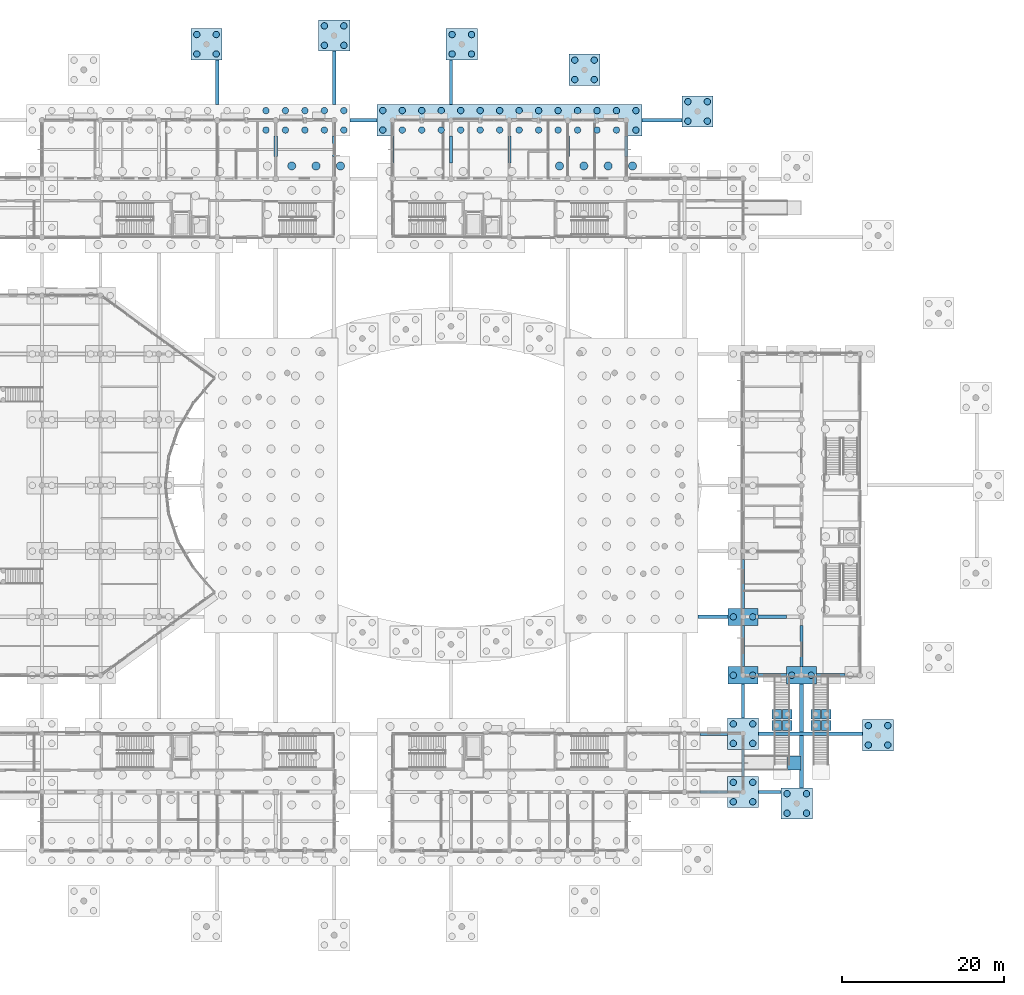
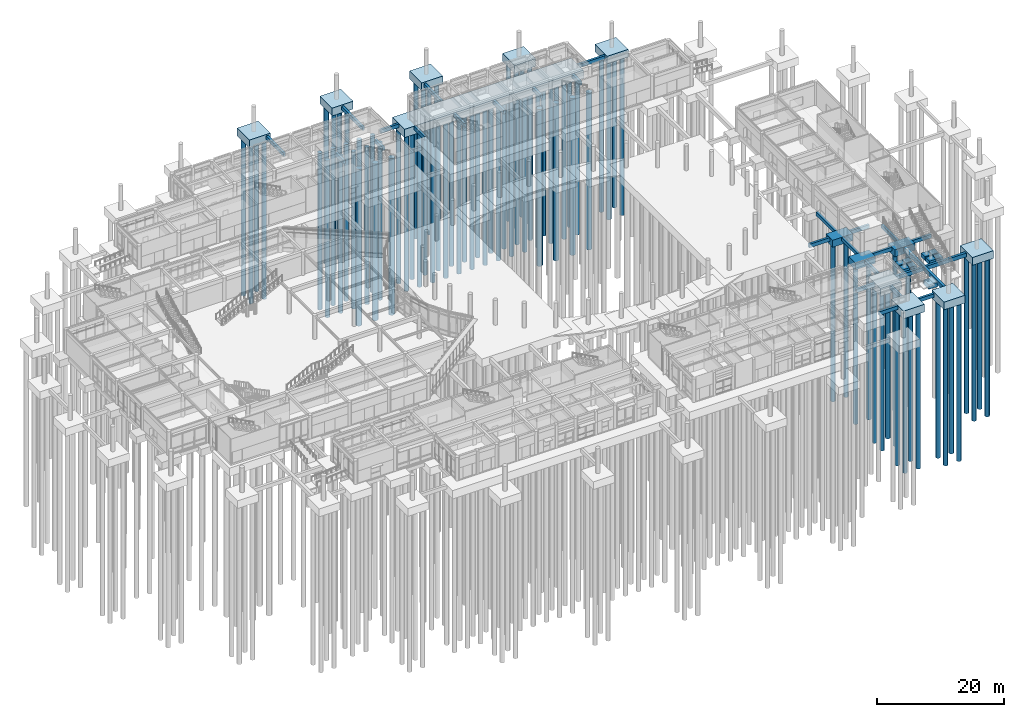
# One storey, part 7 of 103: 87 piles, 48 footings.
"""IFC4 building model written with IfcOpenShell, lengths in metres."""

from ifc_helpers import new_model, si_unit, direction, frame, origin, origin_2d, place, context, subcontext, project, spatial, rectangle, circle, extrude, material, layer, layer_set, material_profile, profile_set, type_object, element, save


model = new_model("IFC4")

# Units and contexts
model_context = context("Model", 3, precision=1e-05, world=origin(), true_north=direction((0.0, 1.0)))
body_context = subcontext(model_context, "Body", "Model", "MODEL_VIEW")
ifc_project = project(units=[si_unit("LENGTHUNIT", "METRE"), si_unit("AREAUNIT", "SQUARE_METRE"), si_unit("VOLUMEUNIT", "CUBIC_METRE"), si_unit("PLANEANGLEUNIT", "RADIAN"), si_unit("MASSUNIT", "GRAM", prefix="KILO")], contexts=[model_context])

# Site, building, storey
site_placement = place(None, origin())
site = spatial("IfcSite", under=ifc_project, at=site_placement, CompositionType="ELEMENT")
building_placement = place(site_placement, origin())
building = spatial("IfcBuilding", under=site, at=building_placement, Name="Namkhue Oval Health Centre", CompositionType="ELEMENT")
storey_placement = place(building_placement, origin())
storey = spatial("IfcBuildingStorey", under=building, at=storey_placement, Name="L00", CompositionType="ELEMENT", Elevation=0.0)

# Footings
ifc_material_1 = material(Name="Reinforced concrete C30/37 (TCVN B35)", Category="concrete")
ifc_layer_1 = layer(ifc_material_1, 1.60009765625)
ifc_layer_set_1 = layer_set([ifc_layer_1], Name="Reinforced concrete C30/37 (TCVN B35)")
footing_type_1 = type_object("IfcFootingType", Name="BORED PILE CAP 32650X3850X1600", PredefinedType="PILE_CAP", material=ifc_layer_set_1)
footing_1_placement = place(storey_placement, frame((108.0, 104.39990234375, -1.864990234375), z_axis=(0.0, 0.0, 1.0), x_axis=(1.0, 0.0, 0.0)))
element("IfcFooting", 1, at=footing_1_placement, inside=storey, type_object=footing_type_1, Name="Reinforced Concrete Pile Cap 125", PredefinedType="PILE_CAP", context=body_context, shape_type="SweptSolid", body=[
    extrude(rectangle(XDim=32.64990234375, YDim=3.85009765625, at=origin_2d()), origin(), (0.0, 0.0, 1.0), 1.60009765625),
])
ifc_layer_2 = layer(ifc_material_1, 1.35009765625)
ifc_layer_set_2 = layer_set([ifc_layer_2], Name="Reinforced concrete C30/37 (TCVN B35)")
footing_type_2 = type_object("IfcFootingType", Name="BORED PILE CAP 3700X2100X1350", PredefinedType="PILE_CAP", material=ifc_layer_set_2)
for number, where, z_axis, x_axis, name in (
    (2, (136.800048828125, 36.0, -1.60498046875), (0.0, 0.0, 1.0), (1.0, 0.0, 0.0), "Reinforced Concrete Pile Cap 32"),
    (3, (144.0, 36.0, -1.60498046875), (0.0, 0.0, 1.0), (1.0, 0.0, 0.0), "Reinforced Concrete Pile Cap 33"),
    (4, (136.800048828125, 43.199951171875, -1.60498046875), (0.0, 0.0, 1.0), (1.0, 0.0, 0.0), "Reinforced Concrete Pile Cap 53"),
):
    element("IfcFooting", number, at=place(storey_placement, frame(where, z_axis=z_axis, x_axis=x_axis)), inside=storey, type_object=footing_type_2, Name=name, PredefinedType="PILE_CAP", context=body_context, shape_type="SweptSolid", body=[
        extrude(rectangle(XDim=3.699951171875, YDim=2.10009765625, at=origin_2d()), origin(), (0.0, 0.0, 1.0), 1.35009765625),
    ])
ifc_layer_3 = layer(ifc_material_1, 1.5)
ifc_layer_set_3 = layer_set([ifc_layer_3], Name="Reinforced concrete C30/37 (TCVN B35)")
footing_type_3 = type_object("IfcFootingType", Name="BORED PILE CAP 3850X3850X1500", PredefinedType="PILE_CAP", material=ifc_layer_set_3)
for number, where, z_axis, x_axis, name in (
    (5, (143.421142578125, 20.197998046875, -1.5), (0.0, 0.0, 1.0), (1.0, 0.0, 0.0), "Reinforced Concrete Pile Cap 11"),
    (6, (136.800048828125, 21.60009765625, -1.77490234375), (0.0, 0.0, 1.0), (1.0, 0.0, 0.0), "Reinforced Concrete Pile Cap 20"),
    (7, (153.44970703125, 28.59912109375, -1.5), (0.0, 0.0, 1.0), (1.0, 0.0, 0.0), "Reinforced Concrete Pile Cap 22"),
    (8, (136.800048828125, 28.800048828125, -1.77490234375), (0.0, 0.0, 1.0), (1.0, 0.0, 0.0), "Reinforced Concrete Pile Cap 27"),
    (9, (131.201171875, 105.49658203125, -1.5), (0.0, 0.0, 1.0), (1.0, 0.0, 0.0), "Reinforced Concrete Pile Cap 127"),
    (10, (117.259521484375, 110.619873046875, -1.5), (0.0, 0.0, 1.0), (1.0, 0.0, 0.0), "Reinforced Concrete Pile Cap 129"),
    (11, (70.66796875, 113.774658203125, -1.5), (0.0, 0.0, 1.0), (1.0, 0.0, 0.0), "Reinforced Concrete Pile Cap 130"),
    (12, (102.132080078125, 113.774658203125, -1.5), (0.0, 0.0, 1.0), (1.0, 0.0, 0.0), "Reinforced Concrete Pile Cap 131"),
    (13, (86.39990234375, 114.840087890625, -1.5), (0.0, 0.0, 1.0), (1.0, 0.0, 0.0), "Reinforced Concrete Pile Cap 132"),
):
    element("IfcFooting", number, at=place(storey_placement, frame(where, z_axis=z_axis, x_axis=x_axis)), inside=storey, type_object=footing_type_3, Name=name, PredefinedType="PILE_CAP", context=body_context, shape_type="SweptSolid", body=[
        extrude(rectangle(XDim=3.85009765625, YDim=3.85009765625, at=origin_2d()), origin(), (0.0, 0.0, 1.0), 1.5),
    ])
footing_type_4 = type_object("IfcFootingType", Name="FOUNDATION GROUND BEAM 400X700", PredefinedType="FOOTING_BEAM", material=ifc_material_1)
footing_2_placement = place(storey_placement, frame((133.199951171875, 21.60009765625, -0.97509765625), z_axis=(0.0, 0.0, 1.0), x_axis=(1.0, 0.0, 0.0)))
element("IfcFooting", 14, at=footing_2_placement, inside=storey, type_object=footing_type_4, Name="Foundation Ground Tie Beam X-12", PredefinedType="FOOTING_BEAM", context=body_context, shape_type="SweptSolid", body=[
    extrude(rectangle(XDim=3.35009765625, YDim=0.39990234375, at=origin_2d()), origin(), (0.0, 0.0, 1.0), 0.699951171875),
])
footing_3_placement = place(storey_placement, frame((140.110595703125, 21.60009765625, -0.97509765625), z_axis=(0.0, 0.0, 1.0), x_axis=(1.0, 0.0, 0.0)))
element("IfcFooting", 15, at=footing_3_placement, inside=storey, type_object=footing_type_4, Name="Foundation Ground Tie Beam X-13", PredefinedType="FOOTING_BEAM", context=body_context, shape_type="SweptSolid", body=[
    extrude(rectangle(XDim=2.77099609375, YDim=0.39990234375, at=origin_2d()), origin(), (0.0, 0.0, 1.0), 0.699951171875),
])
footing_4_placement = place(storey_placement, frame((133.199951171875, 28.800048828125, -0.97509765625), z_axis=(0.0, 0.0, 1.0), x_axis=(1.0, 0.0, 0.0)))
element("IfcFooting", 16, at=footing_4_placement, inside=storey, type_object=footing_type_4, Name="Foundation Ground Tie Beam X-22", PredefinedType="FOOTING_BEAM", context=body_context, shape_type="SweptSolid", body=[
    extrude(rectangle(XDim=3.35009765625, YDim=0.39990234375, at=origin_2d()), origin(), (0.0, 0.0, 1.0), 0.699951171875),
])
for number, where, z_axis, x_axis, name in (
    (17, (140.39990234375, 36.0, -0.955078125), (0.0, 0.0, 1.0), (1.0, 0.0, 0.0), "Foundation Ground Tie Beam X-28"),
    (18, (147.60009765625, 36.0, -0.955078125), (0.0, 0.0, 1.0), (1.0, 0.0, 0.0), "Foundation Ground Tie Beam X-29"),
):
    element("IfcFooting", number, at=place(storey_placement, frame(where, z_axis=z_axis, x_axis=x_axis)), inside=storey, type_object=footing_type_4, Name=name, PredefinedType="FOOTING_BEAM", context=body_context, shape_type="SweptSolid", body=[
        extrude(rectangle(XDim=3.5, YDim=0.39990234375, at=origin_2d()), origin(), (0.0, 0.0, 1.0), 0.699951171875),
    ])
footing_5_placement = place(storey_placement, frame((133.088134765625, 43.199951171875, -0.955078125), z_axis=(0.0, 0.0, 1.0), x_axis=(1.0, 0.0, 0.0)))
element("IfcFooting", 19, at=footing_5_placement, inside=storey, type_object=footing_type_4, Name="Foundation Ground Tie Beam X-38", PredefinedType="FOOTING_BEAM", context=body_context, shape_type="SweptSolid", body=[
    extrude(rectangle(XDim=3.723876953125, YDim=0.39990234375, at=origin_2d()), origin(), (0.0, 0.0, 1.0), 0.699951171875),
])
footing_6_placement = place(storey_placement, frame((140.39990234375, 43.199951171875, -0.955078125), z_axis=(0.0, 0.0, 1.0), x_axis=(1.0, 0.0, 0.0)))
element("IfcFooting", 20, at=footing_6_placement, inside=storey, type_object=footing_type_4, Name="Foundation Ground Tie Beam X-39", PredefinedType="FOOTING_BEAM", context=body_context, shape_type="SweptSolid", body=[
    extrude(rectangle(XDim=3.5, YDim=0.39990234375, at=origin_2d()), origin(), (0.0, 0.0, 1.0), 0.699951171875),
])
footing_7_placement = place(storey_placement, frame((90.0, 104.39990234375, -0.96484375), z_axis=(0.0, 0.0, 1.0), x_axis=(1.0, 0.0, 0.0)))
element("IfcFooting", 21, at=footing_7_placement, inside=storey, type_object=footing_type_4, Name="Foundation Ground Tie Beam X-99", PredefinedType="FOOTING_BEAM", context=body_context, shape_type="SweptSolid", body=[
    extrude(rectangle(XDim=3.35009765625, YDim=0.39990234375, at=origin_2d()), origin(), (0.0, 0.0, 1.0), 0.699951171875),
])
footing_8_placement = place(storey_placement, frame((126.800537109375, 104.39990234375, -0.96484375), z_axis=(0.0, 0.0, 1.0), x_axis=(1.0, 0.0, 0.0)))
element("IfcFooting", 22, at=footing_8_placement, inside=storey, type_object=footing_type_4, Name="Foundation Ground Tie Beam X-100", PredefinedType="FOOTING_BEAM", context=body_context, shape_type="SweptSolid", body=[
    extrude(rectangle(XDim=4.951171875, YDim=0.39990234375, at=origin_2d()), origin(), (0.0, 0.0, 1.0), 0.699951171875),
])
footing_9_placement = place(storey_placement, frame((72.0, 109.08740234375, -0.9599609375), z_axis=(0.0, 0.0, 1.0), x_axis=(0.0, 1.0, 0.0)))
element("IfcFooting", 23, at=footing_9_placement, inside=storey, type_object=footing_type_4, Name="Foundation Ground Tie Beam Y-168", PredefinedType="FOOTING_BEAM", context=body_context, shape_type="SweptSolid", body=[
    extrude(rectangle(XDim=5.524658203125, YDim=0.39990234375, at=origin_2d()), origin(), (0.0, 0.0, 1.0), 0.699951171875),
])
for number, where, z_axis, x_axis, name in (
    (24, (79.199951171875, 101.199951171875, -0.9599609375), (0.0, 0.0, 1.0), (0.0, 1.0, 0.0), "Foundation Ground Tie Beam Y-172"),
    (25, (86.39990234375, 101.199951171875, -0.9599609375), (0.0, 0.0, 1.0), (0.0, 1.0, 0.0), "Foundation Ground Tie Beam Y-177"),
):
    element("IfcFooting", number, at=place(storey_placement, frame(where, z_axis=z_axis, x_axis=x_axis)), inside=storey, type_object=footing_type_4, Name=name, PredefinedType="FOOTING_BEAM", context=body_context, shape_type="SweptSolid", body=[
        extrude(rectangle(XDim=2.550048828125, YDim=0.39990234375, at=origin_2d()), origin(), (0.0, 0.0, 1.0), 0.699951171875),
    ])
footing_10_placement = place(storey_placement, frame((86.39990234375, 109.6201171875, -0.9599609375), z_axis=(0.0, 0.0, 1.0), x_axis=(0.0, 1.0, 0.0)))
element("IfcFooting", 26, at=footing_10_placement, inside=storey, type_object=footing_type_4, Name="Foundation Ground Tie Beam Y-178", PredefinedType="FOOTING_BEAM", context=body_context, shape_type="SweptSolid", body=[
    extrude(rectangle(XDim=6.590087890625, YDim=0.39990234375, at=origin_2d()), origin(), (0.0, 0.0, 1.0), 0.699951171875),
])
for number, where, z_axis, x_axis, name in (
    (27, (93.60009765625, 100.800048828125, -0.96484375), (0.0, 0.0, 1.0), (0.0, 1.0, 0.0), "Foundation Ground Tie Beam Y-180"),
    (28, (100.800048828125, 100.800048828125, -0.96484375), (0.0, 0.0, 1.0), (0.0, 1.0, 0.0), "Foundation Ground Tie Beam Y-185"),
):
    element("IfcFooting", number, at=place(storey_placement, frame(where, z_axis=z_axis, x_axis=x_axis)), inside=storey, type_object=footing_type_4, Name=name, PredefinedType="FOOTING_BEAM", context=body_context, shape_type="SweptSolid", body=[
        extrude(rectangle(XDim=3.35009765625, YDim=0.39990234375, at=origin_2d()), origin(), (0.0, 0.0, 1.0), 0.699951171875),
    ])
footing_11_placement = place(storey_placement, frame((100.800048828125, 109.08740234375, -0.96484375), z_axis=(0.0, 0.0, 1.0), x_axis=(0.0, 1.0, 0.0)))
element("IfcFooting", 29, at=footing_11_placement, inside=storey, type_object=footing_type_4, Name="Foundation Ground Tie Beam Y-186", PredefinedType="FOOTING_BEAM", context=body_context, shape_type="SweptSolid", body=[
    extrude(rectangle(XDim=5.524658203125, YDim=0.39990234375, at=origin_2d()), origin(), (0.0, 0.0, 1.0), 0.699951171875),
])
footing_12_placement = place(storey_placement, frame((108.0, 100.800048828125, -0.96484375), z_axis=(0.0, 0.0, 1.0), x_axis=(0.0, 1.0, 0.0)))
element("IfcFooting", 30, at=footing_12_placement, inside=storey, type_object=footing_type_4, Name="Foundation Ground Tie Beam Y-188", PredefinedType="FOOTING_BEAM", context=body_context, shape_type="SweptSolid", body=[
    extrude(rectangle(XDim=3.35009765625, YDim=0.39990234375, at=origin_2d()), origin(), (0.0, 0.0, 1.0), 0.699951171875),
])
for number, where, z_axis, x_axis, name in (
    (31, (115.199951171875, 101.199951171875, -0.96484375), (0.0, 0.0, 1.0), (0.0, 1.0, 0.0), "Foundation Ground Tie Beam Y-192"),
    (32, (122.39990234375, 101.199951171875, -0.96484375), (0.0, 0.0, 1.0), (0.0, 1.0, 0.0), "Foundation Ground Tie Beam Y-196"),
):
    element("IfcFooting", number, at=place(storey_placement, frame(where, z_axis=z_axis, x_axis=x_axis)), inside=storey, type_object=footing_type_4, Name=name, PredefinedType="FOOTING_BEAM", context=body_context, shape_type="SweptSolid", body=[
        extrude(rectangle(XDim=2.550048828125, YDim=0.39990234375, at=origin_2d()), origin(), (0.0, 0.0, 1.0), 0.699951171875),
    ])
footing_13_placement = place(storey_placement, frame((136.800048828125, 25.199951171875, -0.97509765625), z_axis=(0.0, 0.0, 1.0), x_axis=(0.0, 1.0, 0.0)))
element("IfcFooting", 33, at=footing_13_placement, inside=storey, type_object=footing_type_4, Name="Foundation Ground Tie Beam Y-201", PredefinedType="FOOTING_BEAM", context=body_context, shape_type="SweptSolid", body=[
    extrude(rectangle(XDim=3.35009765625, YDim=0.39990234375, at=origin_2d()), origin(), (0.0, 0.0, 1.0), 0.699951171875),
])
footing_14_placement = place(storey_placement, frame((136.800048828125, 32.83740234375, -0.97509765625), z_axis=(0.0, 0.0, 1.0), x_axis=(0.0, 1.0, 0.0)))
element("IfcFooting", 34, at=footing_14_placement, inside=storey, type_object=footing_type_4, Name="Foundation Ground Tie Beam Y-202", PredefinedType="FOOTING_BEAM", context=body_context, shape_type="SweptSolid", body=[
    extrude(rectangle(XDim=4.22509765625, YDim=0.39990234375, at=origin_2d()), origin(), (0.0, 0.0, 1.0), 0.699951171875),
])
footing_15_placement = place(storey_placement, frame((136.800048828125, 39.60009765625, -0.955078125), z_axis=(0.0, 0.0, 1.0), x_axis=(0.0, 1.0, 0.0)))
element("IfcFooting", 35, at=footing_15_placement, inside=storey, type_object=footing_type_4, Name="Foundation Ground Tie Beam Y-203", PredefinedType="FOOTING_BEAM", context=body_context, shape_type="SweptSolid", body=[
    extrude(rectangle(XDim=5.10009765625, YDim=0.39990234375, at=origin_2d()), origin(), (0.0, 0.0, 1.0), 0.699951171875),
])
footing_16_placement = place(storey_placement, frame((136.800048828125, 47.25, -0.955078125), z_axis=(0.0, 0.0, 1.0), x_axis=(0.0, 1.0, 0.0)))
element("IfcFooting", 36, at=footing_16_placement, inside=storey, type_object=footing_type_4, Name="Foundation Ground Tie Beam Y-204", PredefinedType="FOOTING_BEAM", context=body_context, shape_type="SweptSolid", body=[
    extrude(rectangle(XDim=6.0, YDim=0.39990234375, at=origin_2d()), origin(), (0.0, 0.0, 1.0), 0.699951171875),
])
footing_17_placement = place(storey_placement, frame((144.0, 39.60009765625, -0.955078125), z_axis=(0.0, 0.0, 1.0), x_axis=(0.0, 1.0, 0.0)))
element("IfcFooting", 37, at=footing_17_placement, inside=storey, type_object=footing_type_4, Name="Foundation Ground Tie Beam Y-211", PredefinedType="FOOTING_BEAM", context=body_context, shape_type="SweptSolid", body=[
    extrude(rectangle(XDim=5.10009765625, YDim=0.39990234375, at=origin_2d()), origin(), (0.0, 0.0, 1.0), 0.699951171875),
])
footing_type_5 = type_object("IfcFootingType", Name="FOUNDATION GROUND BEAM 450X750", PredefinedType="FOOTING_BEAM", material=ifc_material_1)
footing_18_placement = place(storey_placement, frame((145.125, 28.800048828125, -1.02490234375), z_axis=(0.0, 0.0, 1.0), x_axis=(1.0, 0.0, 0.0)))
element("IfcFooting", 38, at=footing_18_placement, inside=storey, type_object=footing_type_5, Name="Foundation Ground Tie Beam X-23", PredefinedType="FOOTING_BEAM", context=body_context, shape_type="SweptSolid", body=[
    extrude(rectangle(XDim=12.7998046875, YDim=0.449951171875, at=origin_2d()), origin(), (0.0, 0.0, 1.0), 0.75),
])
footing_type_6 = type_object("IfcFootingType", Name="FOUNDATION GROUND BEAM 500X800", PredefinedType="FOOTING_BEAM", material=ifc_material_1)
footing_19_placement = place(storey_placement, frame((144.0, 28.53662109375, -1.05517578125), z_axis=(0.0, 0.0, 1.0), x_axis=(0.0, 1.0, 0.0)))
element("IfcFooting", 39, at=footing_19_placement, inside=storey, type_object=footing_type_6, Name="Foundation Ground Tie Beam Y-210", PredefinedType="FOOTING_BEAM", context=body_context, shape_type="SweptSolid", body=[
    extrude(rectangle(XDim=12.826904296875, YDim=0.5, at=origin_2d()), origin(), (0.0, 0.0, 1.0), 0.800048828125),
])
ifc_layer_4 = layer(ifc_material_1, 0.85009765625)
ifc_layer_set_4 = layer_set([ifc_layer_4], Name="Reinforced concrete C30/37 (TCVN B35)")
footing_type_7 = type_object("IfcFootingType", Name="GARDEN PAVILION PAD FOOTING 1700X1700X850", PredefinedType="PAD_FOOTING", material=ifc_layer_set_4)
footing_20_placement = place(storey_placement, frame((143.10009765625, 25.199951171875, -1.5), z_axis=(0.0, 0.0, 1.0), x_axis=(-1.0, 0.0, 0.0)))
element("IfcFooting", 40, at=footing_20_placement, inside=storey, type_object=footing_type_7, Name="Dental and Mental Health East Ramp Foundation Pad", PredefinedType="PAD_FOOTING", context=body_context, shape_type="SweptSolid", body=[
    extrude(rectangle(XDim=1.699951171875, YDim=1.699951171875, at=origin_2d()), origin(), (0.0, 0.0, 1.0), 0.85009765625),
])

# Piles
ifc_material_2 = material(Name="Reinforced concrete C25/30 (TCVN B30)", Category="concrete")
ifc_material_profile_1 = material_profile(ifc_material_2, circle(Radius=0.5, at=origin_2d()), Name="BORED PILE D1000")
ifc_profile_set_1 = profile_set([ifc_material_profile_1], Name="Reinforced concrete C25/30 (TCVN B30)")
pile_type_1 = type_object("IfcPileType", Name="RC BORED PILE D1000", PredefinedType="BORED", material=ifc_profile_set_1)
for number, where, z_axis, x_axis, name in (
    (41, (81.175048828125, 98.77490234375, -1.739990234375), (0.0, 0.0, -1.0), (1.0, 0.0, 0.0), "Bored Pile 115-2.4"),
    (42, (84.175048828125, 98.77490234375, -1.739990234375), (0.0, 0.0, -1.0), (1.0, 0.0, 0.0), "Bored Pile 115-3.4"),
    (43, (87.175048828125, 98.77490234375, -1.739990234375), (0.0, 0.0, -1.0), (1.0, 0.0, 0.0), "Bored Pile 115-4.4"),
):
    element("IfcPile", number, at=place(storey_placement, frame(where, z_axis=z_axis, x_axis=x_axis)), inside=storey, type_object=pile_type_1, Name=name, PredefinedType="BORED", context=body_context, shape_type="SweptSolid", body=[
        extrude(circle(Radius=0.5, at=origin_2d()), origin(), (0.0, 0.0, 1.0), 30.260009765625),
    ])
for number, where, z_axis, x_axis, name in (
    (44, (114.175048828125, 98.77490234375, -1.7451171875), (0.0, 0.0, -1.0), (1.0, 0.0, 0.0), "Bored Pile 116-1.4"),
    (45, (117.175048828125, 98.77490234375, -1.7451171875), (0.0, 0.0, -1.0), (1.0, 0.0, 0.0), "Bored Pile 116-2.4"),
    (46, (120.175048828125, 98.77490234375, -1.7451171875), (0.0, 0.0, -1.0), (1.0, 0.0, 0.0), "Bored Pile 116-3.4"),
    (47, (123.175048828125, 98.77490234375, -1.7451171875), (0.0, 0.0, -1.0), (1.0, 0.0, 0.0), "Bored Pile 116-4.4"),
):
    element("IfcPile", number, at=place(storey_placement, frame(where, z_axis=z_axis, x_axis=x_axis)), inside=storey, type_object=pile_type_1, Name=name, PredefinedType="BORED", context=body_context, shape_type="SweptSolid", body=[
        extrude(circle(Radius=0.5, at=origin_2d()), origin(), (0.0, 0.0, 1.0), 30.2548828125),
    ])
ifc_material_profile_2 = material_profile(ifc_material_2, circle(Radius=0.39990234375, at=origin_2d()), Name="BORED PILE D800")
ifc_profile_set_2 = profile_set([ifc_material_profile_2], Name="Reinforced concrete C25/30 (TCVN B30)")
pile_type_2 = type_object("IfcPileType", Name="RC BORED PILE D800", PredefinedType="BORED", material=ifc_profile_set_2)
for number, where, z_axis, x_axis, name in (
    (48, (142.22119140625, 18.998046875, -1.3798828125), (0.0, 0.0, -1.0), (1.0, 0.0, 0.0), "Bored Pile 11-1.1"),
    (49, (142.22119140625, 21.39794921875, -1.3798828125), (0.0, 0.0, -1.0), (1.0, 0.0, 0.0), "Bored Pile 11-1.2"),
    (50, (144.62109375, 18.998046875, -1.3798828125), (0.0, 0.0, -1.0), (1.0, 0.0, 0.0), "Bored Pile 11-2.1"),
    (51, (144.62109375, 21.39794921875, -1.3798828125), (0.0, 0.0, -1.0), (1.0, 0.0, 0.0), "Bored Pile 11-2.2"),
):
    element("IfcPile", number, at=place(storey_placement, frame(where, z_axis=z_axis, x_axis=x_axis)), inside=storey, type_object=pile_type_2, Name=name, PredefinedType="BORED", context=body_context, shape_type="SweptSolid", body=[
        extrude(circle(Radius=0.39990234375, at=origin_2d()), origin(), (0.0, 0.0, 1.0), 30.6201171875),
    ])
for number, where, z_axis, x_axis, name in (
    (52, (135.60009765625, 20.39990234375, -1.655029296875), (0.0, 0.0, -1.0), (1.0, 0.0, 0.0), "Bored Pile 20-1.1"),
    (53, (135.60009765625, 22.800048828125, -1.655029296875), (0.0, 0.0, -1.0), (1.0, 0.0, 0.0), "Bored Pile 20-1.2"),
    (54, (138.0, 20.39990234375, -1.655029296875), (0.0, 0.0, -1.0), (1.0, 0.0, 0.0), "Bored Pile 20-2.1"),
    (55, (138.0, 22.800048828125, -1.655029296875), (0.0, 0.0, -1.0), (1.0, 0.0, 0.0), "Bored Pile 20-2.2"),
):
    element("IfcPile", number, at=place(storey_placement, frame(where, z_axis=z_axis, x_axis=x_axis)), inside=storey, type_object=pile_type_2, Name=name, PredefinedType="BORED", context=body_context, shape_type="SweptSolid", body=[
        extrude(circle(Radius=0.39990234375, at=origin_2d()), origin(), (0.0, 0.0, 1.0), 30.344970703125),
    ])
for number, where, z_axis, x_axis, name in (
    (56, (152.249755859375, 27.399169921875, -1.3798828125), (0.0, 0.0, -1.0), (1.0, 0.0, 0.0), "Bored Pile 22-1.1"),
    (57, (152.249755859375, 29.79931640625, -1.3798828125), (0.0, 0.0, -1.0), (1.0, 0.0, 0.0), "Bored Pile 22-1.2"),
    (58, (154.649658203125, 27.399169921875, -1.3798828125), (0.0, 0.0, -1.0), (1.0, 0.0, 0.0), "Bored Pile 22-2.1"),
    (59, (154.649658203125, 29.79931640625, -1.3798828125), (0.0, 0.0, -1.0), (1.0, 0.0, 0.0), "Bored Pile 22-2.2"),
):
    element("IfcPile", number, at=place(storey_placement, frame(where, z_axis=z_axis, x_axis=x_axis)), inside=storey, type_object=pile_type_2, Name=name, PredefinedType="BORED", context=body_context, shape_type="SweptSolid", body=[
        extrude(circle(Radius=0.39990234375, at=origin_2d()), origin(), (0.0, 0.0, 1.0), 30.6201171875),
    ])
for number, where, z_axis, x_axis, name in (
    (60, (135.60009765625, 27.60009765625, -1.655029296875), (0.0, 0.0, -1.0), (1.0, 0.0, 0.0), "Bored Pile 27-1.1"),
    (61, (135.60009765625, 30.0, -1.655029296875), (0.0, 0.0, -1.0), (1.0, 0.0, 0.0), "Bored Pile 27-1.2"),
    (62, (138.0, 27.60009765625, -1.655029296875), (0.0, 0.0, -1.0), (1.0, 0.0, 0.0), "Bored Pile 27-2.1"),
    (63, (138.0, 30.0, -1.655029296875), (0.0, 0.0, -1.0), (1.0, 0.0, 0.0), "Bored Pile 27-2.2"),
):
    element("IfcPile", number, at=place(storey_placement, frame(where, z_axis=z_axis, x_axis=x_axis)), inside=storey, type_object=pile_type_2, Name=name, PredefinedType="BORED", context=body_context, shape_type="SweptSolid", body=[
        extrude(circle(Radius=0.39990234375, at=origin_2d()), origin(), (0.0, 0.0, 1.0), 30.344970703125),
    ])
for number, where, z_axis, x_axis, name in (
    (64, (135.60009765625, 36.0, -1.485107421875), (0.0, 0.0, -1.0), (1.0, 0.0, 0.0), "Bored Pile 32-1.1"),
    (65, (138.0, 36.0, -1.485107421875), (0.0, 0.0, -1.0), (1.0, 0.0, 0.0), "Bored Pile 32-2.1"),
    (66, (142.800048828125, 36.0, -1.485107421875), (0.0, 0.0, -1.0), (1.0, 0.0, 0.0), "Bored Pile 33-1.1"),
    (67, (145.199951171875, 36.0, -1.485107421875), (0.0, 0.0, -1.0), (1.0, 0.0, 0.0), "Bored Pile 33-2.1"),
    (68, (135.60009765625, 43.199951171875, -1.485107421875), (0.0, 0.0, -1.0), (1.0, 0.0, 0.0), "Bored Pile 53-1.1"),
    (69, (138.0, 43.199951171875, -1.485107421875), (0.0, 0.0, -1.0), (1.0, 0.0, 0.0), "Bored Pile 53-2.1"),
):
    element("IfcPile", number, at=place(storey_placement, frame(where, z_axis=z_axis, x_axis=x_axis)), inside=storey, type_object=pile_type_2, Name=name, PredefinedType="BORED", context=body_context, shape_type="SweptSolid", body=[
        extrude(circle(Radius=0.39990234375, at=origin_2d()), origin(), (0.0, 0.0, 1.0), 30.514892578125),
    ])
for number, where, z_axis, x_axis, name in (
    (70, (78.0, 103.199951171875, -1.739990234375), (0.0, 0.0, -1.0), (1.0, 0.0, 0.0), "Bored Pile 124-13.1"),
    (71, (78.0, 105.60009765625, -1.739990234375), (0.0, 0.0, -1.0), (1.0, 0.0, 0.0), "Bored Pile 124-13.2"),
    (72, (80.39990234375, 103.199951171875, -1.739990234375), (0.0, 0.0, -1.0), (1.0, 0.0, 0.0), "Bored Pile 124-14.1"),
    (73, (80.39990234375, 105.60009765625, -1.739990234375), (0.0, 0.0, -1.0), (1.0, 0.0, 0.0), "Bored Pile 124-14.2"),
    (74, (82.800048828125, 103.199951171875, -1.739990234375), (0.0, 0.0, -1.0), (1.0, 0.0, 0.0), "Bored Pile 124-15.1"),
    (75, (82.800048828125, 105.60009765625, -1.739990234375), (0.0, 0.0, -1.0), (1.0, 0.0, 0.0), "Bored Pile 124-15.2"),
    (76, (85.199951171875, 103.199951171875, -1.739990234375), (0.0, 0.0, -1.0), (1.0, 0.0, 0.0), "Bored Pile 124-16.1"),
    (77, (85.199951171875, 105.60009765625, -1.739990234375), (0.0, 0.0, -1.0), (1.0, 0.0, 0.0), "Bored Pile 124-16.2"),
    (78, (87.60009765625, 103.199951171875, -1.739990234375), (0.0, 0.0, -1.0), (1.0, 0.0, 0.0), "Bored Pile 124-17.1"),
    (79, (87.60009765625, 105.60009765625, -1.739990234375), (0.0, 0.0, -1.0), (1.0, 0.0, 0.0), "Bored Pile 124-17.2"),
):
    element("IfcPile", number, at=place(storey_placement, frame(where, z_axis=z_axis, x_axis=x_axis)), inside=storey, type_object=pile_type_2, Name=name, PredefinedType="BORED", context=body_context, shape_type="SweptSolid", body=[
        extrude(circle(Radius=0.39990234375, at=origin_2d()), origin(), (0.0, 0.0, 1.0), 30.260009765625),
    ])
for number, where, z_axis, x_axis, name in (
    (80, (92.39990234375, 103.199951171875, -1.7451171875), (0.0, 0.0, -1.0), (1.0, 0.0, 0.0), "Bored Pile 125-1.1"),
    (81, (92.39990234375, 105.60009765625, -1.7451171875), (0.0, 0.0, -1.0), (1.0, 0.0, 0.0), "Bored Pile 125-1.2"),
    (82, (94.800048828125, 103.199951171875, -1.7451171875), (0.0, 0.0, -1.0), (1.0, 0.0, 0.0), "Bored Pile 125-2.1"),
    (83, (94.800048828125, 105.60009765625, -1.7451171875), (0.0, 0.0, -1.0), (1.0, 0.0, 0.0), "Bored Pile 125-2.2"),
    (84, (97.199951171875, 103.199951171875, -1.7451171875), (0.0, 0.0, -1.0), (1.0, 0.0, 0.0), "Bored Pile 125-3.1"),
    (85, (97.199951171875, 105.60009765625, -1.7451171875), (0.0, 0.0, -1.0), (1.0, 0.0, 0.0), "Bored Pile 125-3.2"),
    (86, (99.60009765625, 103.199951171875, -1.7451171875), (0.0, 0.0, -1.0), (1.0, 0.0, 0.0), "Bored Pile 125-4.1"),
    (87, (99.60009765625, 105.60009765625, -1.7451171875), (0.0, 0.0, -1.0), (1.0, 0.0, 0.0), "Bored Pile 125-4.2"),
    (88, (102.0, 103.199951171875, -1.7451171875), (0.0, 0.0, -1.0), (1.0, 0.0, 0.0), "Bored Pile 125-5.1"),
    (89, (102.0, 105.60009765625, -1.7451171875), (0.0, 0.0, -1.0), (1.0, 0.0, 0.0), "Bored Pile 125-5.2"),
    (90, (104.39990234375, 103.199951171875, -1.7451171875), (0.0, 0.0, -1.0), (1.0, 0.0, 0.0), "Bored Pile 125-6.1"),
    (91, (104.39990234375, 105.60009765625, -1.7451171875), (0.0, 0.0, -1.0), (1.0, 0.0, 0.0), "Bored Pile 125-6.2"),
    (92, (106.800048828125, 103.199951171875, -1.7451171875), (0.0, 0.0, -1.0), (1.0, 0.0, 0.0), "Bored Pile 125-7.1"),
    (93, (106.800048828125, 105.60009765625, -1.7451171875), (0.0, 0.0, -1.0), (1.0, 0.0, 0.0), "Bored Pile 125-7.2"),
    (94, (109.199951171875, 103.199951171875, -1.7451171875), (0.0, 0.0, -1.0), (1.0, 0.0, 0.0), "Bored Pile 125-8.1"),
    (95, (109.199951171875, 105.60009765625, -1.7451171875), (0.0, 0.0, -1.0), (1.0, 0.0, 0.0), "Bored Pile 125-8.2"),
    (96, (111.60009765625, 103.199951171875, -1.7451171875), (0.0, 0.0, -1.0), (1.0, 0.0, 0.0), "Bored Pile 125-9.1"),
    (97, (111.60009765625, 105.60009765625, -1.7451171875), (0.0, 0.0, -1.0), (1.0, 0.0, 0.0), "Bored Pile 125-9.2"),
    (98, (114.0, 103.199951171875, -1.7451171875), (0.0, 0.0, -1.0), (1.0, 0.0, 0.0), "Bored Pile 125-10.1"),
    (99, (114.0, 105.60009765625, -1.7451171875), (0.0, 0.0, -1.0), (1.0, 0.0, 0.0), "Bored Pile 125-10.2"),
    (100, (116.39990234375, 103.199951171875, -1.7451171875), (0.0, 0.0, -1.0), (1.0, 0.0, 0.0), "Bored Pile 125-11.1"),
    (101, (116.39990234375, 105.60009765625, -1.7451171875), (0.0, 0.0, -1.0), (1.0, 0.0, 0.0), "Bored Pile 125-11.2"),
    (102, (118.800048828125, 103.199951171875, -1.7451171875), (0.0, 0.0, -1.0), (1.0, 0.0, 0.0), "Bored Pile 125-12.1"),
    (103, (118.800048828125, 105.60009765625, -1.7451171875), (0.0, 0.0, -1.0), (1.0, 0.0, 0.0), "Bored Pile 125-12.2"),
    (104, (121.199951171875, 103.199951171875, -1.7451171875), (0.0, 0.0, -1.0), (1.0, 0.0, 0.0), "Bored Pile 125-13.1"),
    (105, (121.199951171875, 105.60009765625, -1.7451171875), (0.0, 0.0, -1.0), (1.0, 0.0, 0.0), "Bored Pile 125-13.2"),
    (106, (123.60009765625, 103.199951171875, -1.7451171875), (0.0, 0.0, -1.0), (1.0, 0.0, 0.0), "Bored Pile 125-14.1"),
    (107, (123.60009765625, 105.60009765625, -1.7451171875), (0.0, 0.0, -1.0), (1.0, 0.0, 0.0), "Bored Pile 125-14.2"),
):
    element("IfcPile", number, at=place(storey_placement, frame(where, z_axis=z_axis, x_axis=x_axis)), inside=storey, type_object=pile_type_2, Name=name, PredefinedType="BORED", context=body_context, shape_type="SweptSolid", body=[
        extrude(circle(Radius=0.39990234375, at=origin_2d()), origin(), (0.0, 0.0, 1.0), 30.2548828125),
    ])
for number, where, z_axis, x_axis, name in (
    (108, (130.001220703125, 104.296630859375, -1.3798828125), (0.0, 0.0, -1.0), (1.0, 0.0, 0.0), "Bored Pile 127-1.1"),
    (109, (130.001220703125, 106.69677734375, -1.3798828125), (0.0, 0.0, -1.0), (1.0, 0.0, 0.0), "Bored Pile 127-1.2"),
    (110, (132.401123046875, 104.296630859375, -1.3798828125), (0.0, 0.0, -1.0), (1.0, 0.0, 0.0), "Bored Pile 127-2.1"),
    (111, (132.401123046875, 106.69677734375, -1.3798828125), (0.0, 0.0, -1.0), (1.0, 0.0, 0.0), "Bored Pile 127-2.2"),
    (112, (116.0595703125, 109.419921875, -1.3798828125), (0.0, 0.0, -1.0), (1.0, 0.0, 0.0), "Bored Pile 129-1.1"),
    (113, (116.0595703125, 111.81982421875, -1.3798828125), (0.0, 0.0, -1.0), (1.0, 0.0, 0.0), "Bored Pile 129-1.2"),
    (114, (118.459716796875, 109.419921875, -1.3798828125), (0.0, 0.0, -1.0), (1.0, 0.0, 0.0), "Bored Pile 129-2.1"),
    (115, (118.459716796875, 111.81982421875, -1.3798828125), (0.0, 0.0, -1.0), (1.0, 0.0, 0.0), "Bored Pile 129-2.2"),
    (116, (69.468017578125, 112.57470703125, -1.3798828125), (0.0, 0.0, -1.0), (1.0, 0.0, 0.0), "Bored Pile 130-1.1"),
    (117, (69.468017578125, 114.974609375, -1.3798828125), (0.0, 0.0, -1.0), (1.0, 0.0, 0.0), "Bored Pile 130-1.2"),
    (118, (71.867919921875, 112.57470703125, -1.3798828125), (0.0, 0.0, -1.0), (1.0, 0.0, 0.0), "Bored Pile 130-2.1"),
    (119, (71.867919921875, 114.974609375, -1.3798828125), (0.0, 0.0, -1.0), (1.0, 0.0, 0.0), "Bored Pile 130-2.2"),
    (120, (100.93212890625, 112.57470703125, -1.3798828125), (0.0, 0.0, -1.0), (1.0, 0.0, 0.0), "Bored Pile 131-1.1"),
    (121, (100.93212890625, 114.974609375, -1.3798828125), (0.0, 0.0, -1.0), (1.0, 0.0, 0.0), "Bored Pile 131-1.2"),
    (122, (103.33203125, 112.57470703125, -1.3798828125), (0.0, 0.0, -1.0), (1.0, 0.0, 0.0), "Bored Pile 131-2.1"),
    (123, (103.33203125, 114.974609375, -1.3798828125), (0.0, 0.0, -1.0), (1.0, 0.0, 0.0), "Bored Pile 131-2.2"),
    (124, (85.199951171875, 113.639892578125, -1.3798828125), (0.0, 0.0, -1.0), (1.0, 0.0, 0.0), "Bored Pile 132-1.1"),
    (125, (85.199951171875, 116.0400390625, -1.3798828125), (0.0, 0.0, -1.0), (1.0, 0.0, 0.0), "Bored Pile 132-1.2"),
    (126, (87.60009765625, 113.639892578125, -1.3798828125), (0.0, 0.0, -1.0), (1.0, 0.0, 0.0), "Bored Pile 132-2.1"),
    (127, (87.60009765625, 116.0400390625, -1.3798828125), (0.0, 0.0, -1.0), (1.0, 0.0, 0.0), "Bored Pile 132-2.2"),
):
    element("IfcPile", number, at=place(storey_placement, frame(where, z_axis=z_axis, x_axis=x_axis)), inside=storey, type_object=pile_type_2, Name=name, PredefinedType="BORED", context=body_context, shape_type="SweptSolid", body=[
        extrude(circle(Radius=0.39990234375, at=origin_2d()), origin(), (0.0, 0.0, 1.0), 30.6201171875),
    ])

# Footings
ifc_layer_5 = layer(ifc_material_1, 0.800048828125)
ifc_layer_set_5 = layer_set([ifc_layer_5], Name="Reinforced concrete C30/37 (TCVN B35)")
footing_type_8 = type_object("IfcFootingType", Name="STAIR COLUMN PAD FOOTING 1200X1200X800", PredefinedType="PAD_FOOTING", material=ifc_layer_set_5)
for number, where, z_axis, x_axis, name in (
    (128, (142.25, 29.804931640625, -0.7998046875), (0.0, 0.0, 1.0), (1.0, 0.0, 0.0), "Rehab Terrace West Garden Straight Stair Column Pad 1"),
    (129, (140.949951171875, 29.804931640625, -0.7998046875), (0.0, 0.0, 1.0), (1.0, 0.0, 0.0), "Rehab Terrace West Garden Straight Stair Column Pad 2"),
    (130, (142.25, 31.205078125, -0.7998046875), (0.0, 0.0, 1.0), (1.0, 0.0, 0.0), "Rehab Terrace West Garden Straight Stair Column Pad 3"),
    (131, (140.949951171875, 31.205078125, -0.7998046875), (0.0, 0.0, 1.0), (1.0, 0.0, 0.0), "Rehab Terrace West Garden Straight Stair Column Pad 4"),
    (132, (147.050048828125, 29.804931640625, -0.7998046875), (0.0, 0.0, 1.0), (1.0, 0.0, 0.0), "Rehab Terrace East Garden Straight Stair Column Pad 1"),
    (133, (145.75, 29.804931640625, -0.7998046875), (0.0, 0.0, 1.0), (1.0, 0.0, 0.0), "Rehab Terrace East Garden Straight Stair Column Pad 2"),
    (134, (147.050048828125, 31.205078125, -0.7998046875), (0.0, 0.0, 1.0), (1.0, 0.0, 0.0), "Rehab Terrace East Garden Straight Stair Column Pad 3"),
    (135, (145.75, 31.205078125, -0.7998046875), (0.0, 0.0, 1.0), (1.0, 0.0, 0.0), "Rehab Terrace East Garden Straight Stair Column Pad 4"),
):
    element("IfcFooting", number, at=place(storey_placement, frame(where, z_axis=z_axis, x_axis=x_axis)), inside=storey, type_object=footing_type_8, Name=name, PredefinedType="PAD_FOOTING", context=body_context, shape_type="SweptSolid", body=[
        extrude(rectangle(XDim=1.199951171875, YDim=1.199951171875, at=origin_2d()), origin(), (0.0, 0.0, 1.0), 0.800048828125),
    ])

save(model, "model.ifc")
